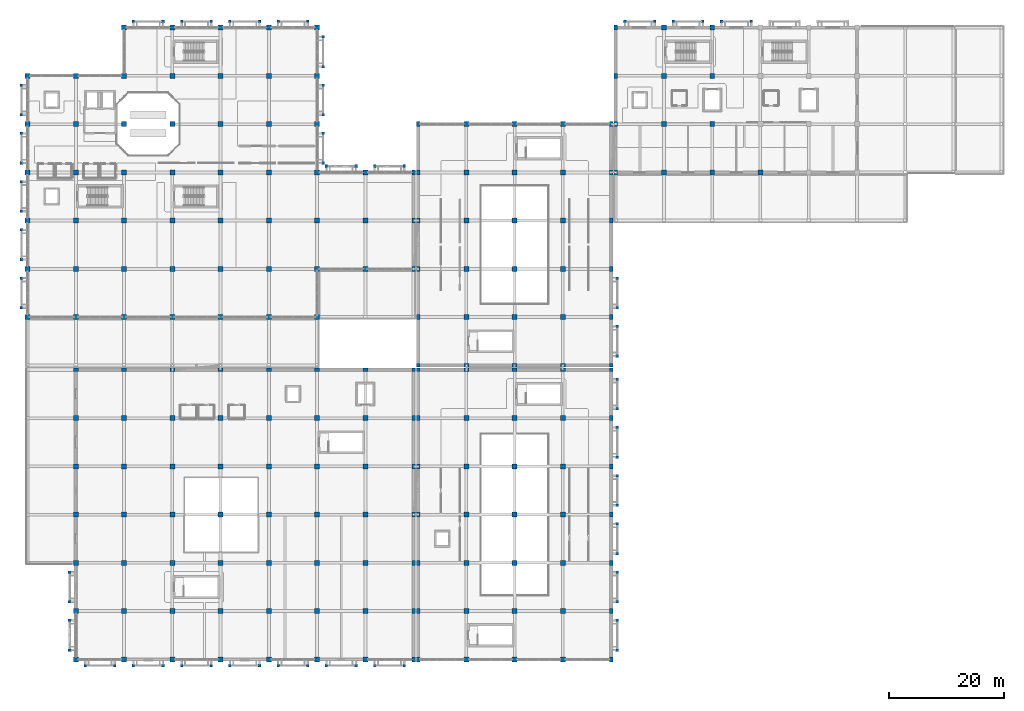
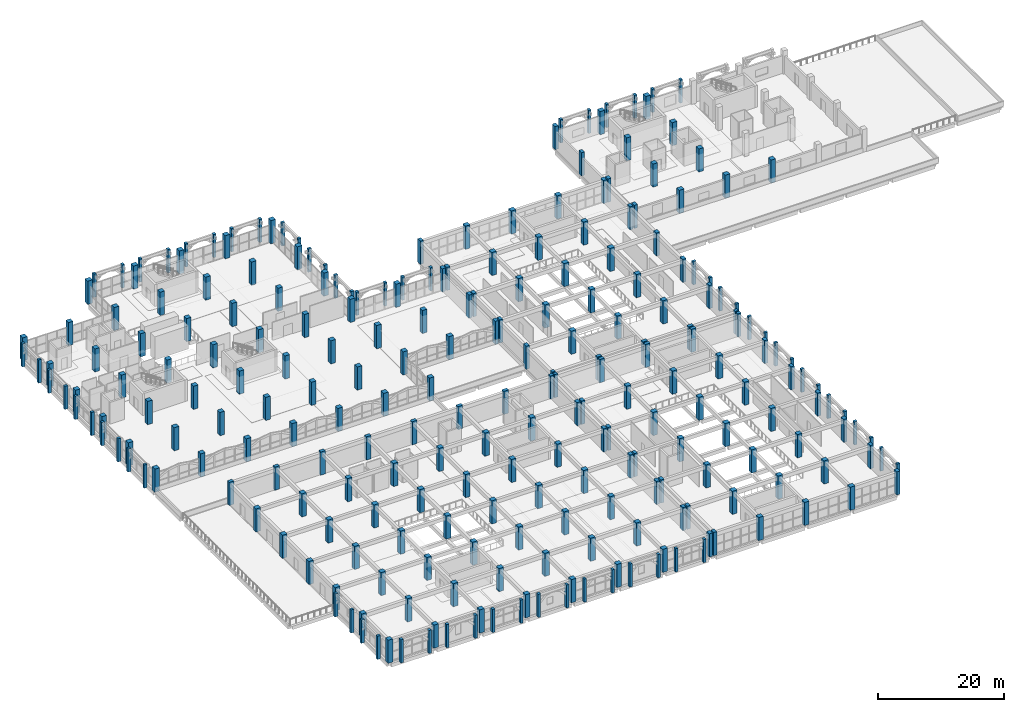
# One storey, part 1 of 129: 255 columns.
"""IFC4 building model written with IfcOpenShell, lengths in metres."""

import ifcopenshell
import ifcopenshell.guid

model = None  # the IFC model being written
_history = None  # IfcOwnerHistory: only IFC2X3 demands one
_inside = {}  # id of a spatial element -> (the spatial element, [elements in it])
_under = {}  # id of a project, library or spatial element -> (it, [spatial elements below it])
_declared = {}  # id of a project -> (the project, [libraries it declares])
_typed = {}  # id of a type object -> (the type object, [elements of that type])
_made_of = {}  # id of a material, layer set ... -> (it, [elements and type objects made of it])


def new_model(schema):
    """Start an empty IFC model of exactly this schema.

    Asked for "IFC4X3", IfcOpenShell would pick the latest addendum, in which some entities
    have other attributes; the version numbers below select the first issue.
    IFC2X3 requires an IfcOwnerHistory on every rooted entity: one is made here for all.
    """
    global model, _history
    if schema == "IFC4X3":
        model = ifcopenshell.file(schema_version=(4, 3, 0, 0))
    else:
        model = ifcopenshell.file(schema=schema)
    _inside.clear()
    _under.clear()
    _declared.clear()
    _typed.clear()
    _made_of.clear()
    _history = None
    if model.schema == "IFC2X3":
        org = make("IfcOrganization", Name="unknown")
        user = make(
            "IfcPersonAndOrganization",
            ThePerson=make("IfcPerson", FamilyName="unknown"),
            TheOrganization=org,
        )
        app = make(
            "IfcApplication",
            ApplicationDeveloper=org,
            Version="unknown",
            ApplicationFullName="unknown",
            ApplicationIdentifier="unknown",
        )
        _history = make(
            "IfcOwnerHistory",
            OwningUser=user,
            OwningApplication=app,
            ChangeAction="ADDED",
            CreationDate=0,
        )
    return model


def make(cls, **values):
    """One entity of the class cls with the attributes given. An attribute that is None is left unset."""
    return model.create_entity(
        cls, **{name: value for name, value in values.items() if value is not None}
    )


def rooted(cls, **values):
    """An entity with a GlobalId (a new one), such as an element, a storey or a relation."""
    return make(cls, GlobalId=ifcopenshell.guid.new(), OwnerHistory=_history, **values)


def si_unit(unit_type, name, prefix=None):
    """IfcSIUnit, for example si_unit("LENGTHUNIT", "METRE", prefix="MILLI")."""
    return make("IfcSIUnit", UnitType=unit_type, Prefix=prefix, Name=name)


def assignment(units):
    """IfcUnitAssignment: the units of a project."""
    return None if units is None else make("IfcUnitAssignment", Units=units)


def point(xyz):
    """IfcCartesianPoint."""
    return None if xyz is None else make("IfcCartesianPoint", Coordinates=xyz)


def direction(xyz):
    """IfcDirection."""
    return None if xyz is None else make("IfcDirection", DirectionRatios=xyz)


def frame(location, z_axis=None, x_axis=None):
    """IfcAxis2Placement3D, a coordinate frame: its origin and axes. An axis left out is left unset."""
    return make(
        "IfcAxis2Placement3D",
        Location=point(location),
        Axis=direction(z_axis),
        RefDirection=direction(x_axis),
    )


def frame_2d(location, x_axis=None):
    """IfcAxis2Placement2D, a coordinate frame in the plane: its origin and x axis."""
    return make(
        "IfcAxis2Placement2D", Location=point(location), RefDirection=direction(x_axis)
    )


def origin():
    """The frame at (0, 0, 0) with its axes left unset."""
    return frame((0.0, 0.0, 0.0))


def origin_2d():
    """The frame at (0, 0) in the plane with its x axis left unset."""
    return frame_2d((0.0, 0.0))


def place(relative_to, where):
    """IfcLocalPlacement: puts the frame where relative to a parent placement (None: the world)."""
    return make(
        "IfcLocalPlacement", PlacementRelTo=relative_to, RelativePlacement=where
    )


def context(
    kind, dimensions, precision=None, world=None, true_north=None, identifier=None
):
    """IfcGeometricRepresentationContext, for example the 3D "Model" context."""
    return make(
        "IfcGeometricRepresentationContext",
        ContextIdentifier=identifier,
        ContextType=kind,
        CoordinateSpaceDimension=dimensions,
        Precision=precision,
        WorldCoordinateSystem=world,
        TrueNorth=true_north,
    )


def subcontext(parent, identifier, kind, view, scale=None):
    """IfcGeometricRepresentationSubContext, for example "Body" below "Model"."""
    return make(
        "IfcGeometricRepresentationSubContext",
        ContextIdentifier=identifier,
        ContextType=kind,
        ParentContext=parent,
        TargetScale=scale,
        TargetView=view,
    )


def project(units=None, contexts=None):
    """IfcProject with its units and contexts."""
    return rooted(
        "IfcProject",
        Name="project",
        RepresentationContexts=contexts,
        UnitsInContext=assignment(units),
    )


def spatial(cls, under=None, at=None, **own):
    """A site, building, storey or space (cls), placed at a placement, below another one or the project."""
    s = rooted(cls, ObjectPlacement=at, **own)
    if under is not None:
        _under.setdefault(under.id(), (under, []))[1].append(s)
    return s


def profile(cls, at=None, kind="AREA", **sizes):
    """A parametric profile (cls). Its sizes go by their IFC names, for example OverallWidth=200.0."""
    return make(cls, ProfileType=kind, Position=at, **sizes)


def rectangle(**sizes):
    """IfcRectangleProfileDef."""
    return profile("IfcRectangleProfileDef", **sizes)


def extrude(swept, where, along, depth):
    """IfcExtrudedAreaSolid: the profile swept, set in the frame where, extruded along a direction by depth."""
    return make(
        "IfcExtrudedAreaSolid",
        SweptArea=swept,
        Position=where,
        ExtrudedDirection=direction(along),
        Depth=depth,
    )


def shape(context_of_items, identifier, shape_type, items):
    """IfcShapeRepresentation: the items that make up one representation, for example the "Body"."""
    return make(
        "IfcShapeRepresentation",
        ContextOfItems=context_of_items,
        RepresentationIdentifier=identifier,
        RepresentationType=shape_type,
        Items=items,
    )


def material(Name=None, Category=None):
    """IfcMaterial."""
    return make("IfcMaterial", Name=Name, Category=Category)


def material_profile(
    of_material, cross_section, Name=None, Category=None, Priority=None
):
    """IfcMaterialProfile: a cross section and its material."""
    return make(
        "IfcMaterialProfile",
        Name=Name,
        Material=of_material,
        Profile=cross_section,
        Priority=Priority,
        Category=Category,
    )


def profile_set(profiles, Name=None, composite=None):
    """IfcMaterialProfileSet."""
    return make(
        "IfcMaterialProfileSet",
        Name=Name,
        MaterialProfiles=profiles,
        CompositeProfile=composite,
    )


def made_of(thing, what):
    """Note that an element or type object is made of a material, layer set ...; save() writes the relation."""
    if what is not None:
        _made_of.setdefault(what.id(), (what, []))[1].append(thing)
    return thing


def type_object(cls, material=None, **own):
    """A type object (cls), such as IfcWallType, which elements share."""
    return made_of(rooted(cls, **own), material)


def element(
    cls,
    number,
    at=None,
    inside=None,
    cuts=None,
    type_object=None,
    material=None,
    context=None,
    identifier="Body",
    shape_type=None,
    held_by="IfcProductDefinitionShape",
    body=None,
    shapes=None,
    **own,
):
    """One element of the class cls, such as IfcWall. Its Tag is "e" and its number.

    at: its placement. inside: the storey or other place that contains it. cuts: it is an
    opening in that element (IfcRelVoidsElement). A single representation is given by context,
    identifier, shape_type and body (its items); several are given by shapes. held_by: the class
    of the entity that holds the representations. save() writes the other relations.
    """
    e = rooted(cls, Tag="e%d" % number, ObjectPlacement=at, **own)
    if body is not None:
        shapes = [shape(context, identifier, shape_type, body)]
    if shapes is not None:
        e.Representation = make(held_by, Representations=shapes)
    if inside is not None:
        _inside.setdefault(inside.id(), (inside, []))[1].append(e)
    if cuts is not None:
        rooted(
            "IfcRelVoidsElement", RelatingBuildingElement=cuts, RelatedOpeningElement=e
        )
    if type_object is not None:
        _typed.setdefault(type_object.id(), (type_object, []))[1].append(e)
    return made_of(e, material)


def aggregate(whole, parts):
    """IfcRelAggregates: a whole, such as a stair, and the parts it consists of."""
    return rooted("IfcRelAggregates", RelatingObject=whole, RelatedObjects=parts)


def save(model, path):
    """Write the relations noted so far, then the file.

    IfcRelAggregates (storeys below a building ...), IfcRelContainedInSpatialStructure (elements
    in a storey), IfcRelDefinesByType, IfcRelAssociatesMaterial and IfcRelDeclares: one each for
    every whole, place, type object, material and project.
    """
    for whole, parts in _under.values():
        aggregate(whole, parts)
    for where, things in _inside.values():
        rooted(
            "IfcRelContainedInSpatialStructure",
            RelatedElements=things,
            RelatingStructure=where,
        )
    for kind, things in _typed.values():
        rooted("IfcRelDefinesByType", RelatedObjects=things, RelatingType=kind)
    for what, things in _made_of.values():
        rooted("IfcRelAssociatesMaterial", RelatedObjects=things, RelatingMaterial=what)
    for by, libraries in _declared.values():
        rooted("IfcRelDeclares", RelatingContext=by, RelatedDefinitions=libraries)
    model.write(path)


model = new_model("IFC4")

# Units and contexts
model_context = context("Model", 3, precision=1e-05, world=origin(), true_north=direction((0.0, 1.0)))
body_context = subcontext(model_context, "Body", "Model", "MODEL_VIEW")
ifc_project = project(units=[si_unit("LENGTHUNIT", "METRE"), si_unit("AREAUNIT", "SQUARE_METRE"), si_unit("VOLUMEUNIT", "CUBIC_METRE"), si_unit("PLANEANGLEUNIT", "RADIAN"), si_unit("MASSUNIT", "GRAM", prefix="KILO")], contexts=[model_context])

# Site, building, storey
site_placement = place(None, origin())
site = spatial("IfcSite", under=ifc_project, at=site_placement, CompositionType="ELEMENT")
building_placement = place(site_placement, origin())
building = spatial("IfcBuilding", under=site, at=building_placement, Name="Xazarin Passage Department Store", CompositionType="ELEMENT")
storey_placement = place(building_placement, frame((0.0, 0.0, 9.89990234375)))
storey = spatial("IfcBuildingStorey", under=building, at=storey_placement, Name="L02", CompositionType="ELEMENT", Elevation=9.89990234375)

# Columns
ifc_material = material(Name="Concrete C40/50", Category="concrete")
ifc_material_profile_1 = material_profile(ifc_material, rectangle(XDim=0.85009765625, YDim=0.85009765625, at=origin_2d()), Name="RC 850x850")
ifc_profile_set_1 = profile_set([ifc_material_profile_1], Name="Concrete C40/50")
column_type_1 = type_object("IfcColumnType", Name="STR-COL-RC850", PredefinedType="COLUMN", material=ifc_profile_set_1)
for number, where, z_axis, x_axis, name in (
    (1, (0.0, 59.60009765625, 0.0), (0.0, 0.0, 1.0), (1.0, 0.0, 0.0), "L02 Column 1/J"),
    (2, (8.39990234375, 59.60009765625, 0.0), (0.0, 0.0, 1.0), (1.0, 0.0, 0.0), "L02 Column 2/J"),
    (3, (16.800048828125, 59.60009765625, 0.0), (0.0, 0.0, 1.0), (1.0, 0.0, 0.0), "L02 Column 3/J"),
    (4, (25.199951171875, 59.60009765625, 0.0), (0.0, 0.0, 1.0), (1.0, 0.0, 0.0), "L02 Column 4/J"),
    (5, (33.60009765625, 59.60009765625, 0.0), (0.0, 0.0, 1.0), (1.0, 0.0, 0.0), "L02 Column 5/J"),
    (6, (42.0, 59.60009765625, 0.0), (0.0, 0.0, 1.0), (1.0, 0.0, 0.0), "L02 Column 6/J"),
    (7, (50.39990234375, 59.60009765625, 0.0), (0.0, 0.0, 1.0), (1.0, 0.0, 0.0), "L02 Column 7/J"),
    (8, (0.0, 68.0, 0.0), (0.0, 0.0, 1.0), (1.0, 0.0, 0.0), "L02 Column 1/K"),
    (9, (8.39990234375, 68.0, 0.0), (0.0, 0.0, 1.0), (1.0, 0.0, 0.0), "L02 Column 2/K"),
    (10, (16.800048828125, 68.0, 0.0), (0.0, 0.0, 1.0), (1.0, 0.0, 0.0), "L02 Column 3/K"),
    (11, (25.199951171875, 68.0, 0.0), (0.0, 0.0, 1.0), (1.0, 0.0, 0.0), "L02 Column 4/K"),
    (12, (33.60009765625, 68.0, 0.0), (0.0, 0.0, 1.0), (1.0, 0.0, 0.0), "L02 Column 5/K"),
    (13, (42.0, 68.0, 0.0), (0.0, 0.0, 1.0), (1.0, 0.0, 0.0), "L02 Column 6/K"),
    (14, (50.39990234375, 68.0, 0.0), (0.0, 0.0, 1.0), (1.0, 0.0, 0.0), "L02 Column 7/K"),
    (15, (58.800048828125, 68.0, 0.0), (0.0, 0.0, 1.0), (1.0, 0.0, 0.0), "L02 Column 8/K"),
    (16, (0.0, 76.39990234375, 0.0), (0.0, 0.0, 1.0), (1.0, 0.0, 0.0), "L02 Column 1/L"),
    (17, (8.39990234375, 76.39990234375, 0.0), (0.0, 0.0, 1.0), (1.0, 0.0, 0.0), "L02 Column 2/L"),
    (18, (16.800048828125, 76.39990234375, 0.0), (0.0, 0.0, 1.0), (1.0, 0.0, 0.0), "L02 Column 3/L"),
    (19, (25.199951171875, 76.39990234375, 0.0), (0.0, 0.0, 1.0), (1.0, 0.0, 0.0), "L02 Column 4/L"),
    (20, (33.60009765625, 76.39990234375, 0.0), (0.0, 0.0, 1.0), (1.0, 0.0, 0.0), "L02 Column 5/L"),
    (21, (42.0, 76.39990234375, 0.0), (0.0, 0.0, 1.0), (1.0, 0.0, 0.0), "L02 Column 6/L"),
    (22, (50.39990234375, 76.39990234375, 0.0), (0.0, 0.0, 1.0), (1.0, 0.0, 0.0), "L02 Column 7/L"),
    (23, (58.800048828125, 76.39990234375, 0.0), (0.0, 0.0, 1.0), (1.0, 0.0, 0.0), "L02 Column 8/L"),
    (24, (0.0, 84.800048828125, 0.0), (0.0, 0.0, 1.0), (1.0, 0.0, 0.0), "L02 Column 1/M"),
    (25, (8.39990234375, 84.800048828125, 0.0), (0.0, 0.0, 1.0), (1.0, 0.0, 0.0), "L02 Column 2/M"),
    (26, (16.800048828125, 84.800048828125, 0.0), (0.0, 0.0, 1.0), (1.0, 0.0, 0.0), "L02 Column 3/M"),
    (27, (25.199951171875, 84.800048828125, 0.0), (0.0, 0.0, 1.0), (1.0, 0.0, 0.0), "L02 Column 4/M"),
    (28, (33.60009765625, 84.800048828125, 0.0), (0.0, 0.0, 1.0), (1.0, 0.0, 0.0), "L02 Column 5/M"),
    (29, (42.0, 84.800048828125, 0.0), (0.0, 0.0, 1.0), (1.0, 0.0, 0.0), "L02 Column 6/M"),
    (30, (50.39990234375, 84.800048828125, 0.0), (0.0, 0.0, 1.0), (1.0, 0.0, 0.0), "L02 Column 7/M"),
    (31, (58.800048828125, 84.800048828125, 0.0), (0.0, 0.0, 1.0), (1.0, 0.0, 0.0), "L02 Column 8/M"),
    (32, (0.0, 93.199951171875, 0.0), (0.0, 0.0, 1.0), (1.0, 0.0, 0.0), "L02 Column 1/N"),
    (33, (8.39990234375, 93.199951171875, 0.0), (0.0, 0.0, 1.0), (1.0, 0.0, 0.0), "L02 Column 2/N"),
    (34, (16.800048828125, 93.199951171875, 0.0), (0.0, 0.0, 1.0), (1.0, 0.0, 0.0), "L02 Column 3/N"),
    (35, (25.199951171875, 93.199951171875, 0.0), (0.0, 0.0, 1.0), (1.0, 0.0, 0.0), "L02 Column 4/N"),
    (36, (33.60009765625, 93.199951171875, 0.0), (0.0, 0.0, 1.0), (1.0, 0.0, 0.0), "L02 Column 5/N"),
    (37, (42.0, 93.199951171875, 0.0), (0.0, 0.0, 1.0), (1.0, 0.0, 0.0), "L02 Column 6/N"),
    (38, (50.39990234375, 93.199951171875, 0.0), (0.0, 0.0, 1.0), (1.0, 0.0, 0.0), "L02 Column 7/N"),
    (39, (0.0, 101.60009765625, 0.0), (0.0, 0.0, 1.0), (1.0, 0.0, 0.0), "L02 Column 1/P"),
    (40, (8.39990234375, 101.60009765625, 0.0), (0.0, 0.0, 1.0), (1.0, 0.0, 0.0), "L02 Column 2/P"),
    (41, (16.800048828125, 101.60009765625, 0.0), (0.0, 0.0, 1.0), (1.0, 0.0, 0.0), "L02 Column 3/P"),
    (42, (25.199951171875, 101.60009765625, 0.0), (0.0, 0.0, 1.0), (1.0, 0.0, 0.0), "L02 Column 4/P"),
    (43, (33.60009765625, 101.60009765625, 0.0), (0.0, 0.0, 1.0), (1.0, 0.0, 0.0), "L02 Column 5/P"),
    (44, (42.0, 101.60009765625, 0.0), (0.0, 0.0, 1.0), (1.0, 0.0, 0.0), "L02 Column 6/P"),
    (45, (50.39990234375, 101.60009765625, 0.0), (0.0, 0.0, 1.0), (1.0, 0.0, 0.0), "L02 Column 7/P"),
    (46, (16.800048828125, 110.0, 0.0), (0.0, 0.0, 1.0), (1.0, 0.0, 0.0), "L02 Column 3/Q"),
    (47, (25.199951171875, 110.0, 0.0), (0.0, 0.0, 1.0), (1.0, 0.0, 0.0), "L02 Column 4/Q"),
    (48, (33.60009765625, 110.0, 0.0), (0.0, 0.0, 1.0), (1.0, 0.0, 0.0), "L02 Column 5/Q"),
    (49, (42.0, 110.0, 0.0), (0.0, 0.0, 1.0), (1.0, 0.0, 0.0), "L02 Column 6/Q"),
    (50, (50.39990234375, 110.0, 0.0), (0.0, 0.0, 1.0), (1.0, 0.0, 0.0), "L02 Column 7/Q"),
    (51, (76.39990234375, 0.0, 0.0), (0.0, 0.0, 1.0), (1.0, 0.0, 0.0), "L02 Column 11/A"),
    (52, (84.800048828125, 0.0, 0.0), (0.0, 0.0, 1.0), (1.0, 0.0, 0.0), "L02 Column 12/A"),
    (53, (93.199951171875, 0.0, 0.0), (0.0, 0.0, 1.0), (1.0, 0.0, 0.0), "L02 Column 13/A"),
    (54, (76.39990234375, 8.39990234375, 0.0), (0.0, 0.0, 1.0), (1.0, 0.0, 0.0), "L02 Column 11/B"),
    (55, (84.800048828125, 8.39990234375, 0.0), (0.0, 0.0, 1.0), (1.0, 0.0, 0.0), "L02 Column 12/B"),
    (56, (93.199951171875, 8.39990234375, 0.0), (0.0, 0.0, 1.0), (1.0, 0.0, 0.0), "L02 Column 13/B"),
    (57, (76.39990234375, 16.800048828125, 0.0), (0.0, 0.0, 1.0), (1.0, 0.0, 0.0), "L02 Column 11/C"),
    (58, (84.800048828125, 16.800048828125, 0.0), (0.0, 0.0, 1.0), (1.0, 0.0, 0.0), "L02 Column 12/C"),
    (59, (93.199951171875, 16.800048828125, 0.0), (0.0, 0.0, 1.0), (1.0, 0.0, 0.0), "L02 Column 13/C"),
    (60, (76.39990234375, 25.199951171875, 0.0), (0.0, 0.0, 1.0), (1.0, 0.0, 0.0), "L02 Column 11/D"),
    (61, (84.800048828125, 25.199951171875, 0.0), (0.0, 0.0, 1.0), (1.0, 0.0, 0.0), "L02 Column 12/D"),
    (62, (93.199951171875, 25.199951171875, 0.0), (0.0, 0.0, 1.0), (1.0, 0.0, 0.0), "L02 Column 13/D"),
    (63, (76.39990234375, 33.60009765625, 0.0), (0.0, 0.0, 1.0), (1.0, 0.0, 0.0), "L02 Column 11/E"),
    (64, (84.800048828125, 33.60009765625, 0.0), (0.0, 0.0, 1.0), (1.0, 0.0, 0.0), "L02 Column 12/E"),
    (65, (93.199951171875, 33.60009765625, 0.0), (0.0, 0.0, 1.0), (1.0, 0.0, 0.0), "L02 Column 13/E"),
    (66, (76.39990234375, 42.0, 0.0), (0.0, 0.0, 1.0), (1.0, 0.0, 0.0), "L02 Column 11/F"),
    (67, (84.800048828125, 42.0, 0.0), (0.0, 0.0, 1.0), (1.0, 0.0, 0.0), "L02 Column 12/F"),
    (68, (93.199951171875, 42.0, 0.0), (0.0, 0.0, 1.0), (1.0, 0.0, 0.0), "L02 Column 13/F"),
    (69, (76.39990234375, 59.60009765625, 0.0), (0.0, 0.0, 1.0), (1.0, 0.0, 0.0), "L02 Column 11/J"),
    (70, (84.800048828125, 59.60009765625, 0.0), (0.0, 0.0, 1.0), (1.0, 0.0, 0.0), "L02 Column 12/J"),
    (71, (93.199951171875, 59.60009765625, 0.0), (0.0, 0.0, 1.0), (1.0, 0.0, 0.0), "L02 Column 13/J"),
    (72, (76.39990234375, 68.0, 0.0), (0.0, 0.0, 1.0), (1.0, 0.0, 0.0), "L02 Column 11/K"),
    (73, (84.800048828125, 68.0, 0.0), (0.0, 0.0, 1.0), (1.0, 0.0, 0.0), "L02 Column 12/K"),
    (74, (93.199951171875, 68.0, 0.0), (0.0, 0.0, 1.0), (1.0, 0.0, 0.0), "L02 Column 13/K"),
    (75, (76.39990234375, 76.39990234375, 0.0), (0.0, 0.0, 1.0), (1.0, 0.0, 0.0), "L02 Column 11/L"),
    (76, (84.800048828125, 76.39990234375, 0.0), (0.0, 0.0, 1.0), (1.0, 0.0, 0.0), "L02 Column 12/L"),
    (77, (93.199951171875, 76.39990234375, 0.0), (0.0, 0.0, 1.0), (1.0, 0.0, 0.0), "L02 Column 13/L"),
    (78, (76.39990234375, 84.800048828125, 0.0), (0.0, 0.0, 1.0), (1.0, 0.0, 0.0), "L02 Column 11/M"),
    (79, (84.800048828125, 84.800048828125, 0.0), (0.0, 0.0, 1.0), (1.0, 0.0, 0.0), "L02 Column 12/M"),
    (80, (93.199951171875, 84.800048828125, 0.0), (0.0, 0.0, 1.0), (1.0, 0.0, 0.0), "L02 Column 13/M"),
    (81, (76.39990234375, 93.199951171875, 0.0), (0.0, 0.0, 1.0), (1.0, 0.0, 0.0), "L02 Column 11/N"),
    (82, (84.800048828125, 93.199951171875, 0.0), (0.0, 0.0, 1.0), (1.0, 0.0, 0.0), "L02 Column 12/N"),
    (83, (93.199951171875, 93.199951171875, 0.0), (0.0, 0.0, 1.0), (1.0, 0.0, 0.0), "L02 Column 13/N"),
    (84, (8.39990234375, 0.0, 0.0), (0.0, 0.0, 1.0), (1.0, 0.0, 0.0), "L02 Column 2/A"),
    (85, (16.800048828125, 0.0, 0.0), (0.0, 0.0, 1.0), (1.0, 0.0, 0.0), "L02 Column 3/A"),
    (86, (25.199951171875, 0.0, 0.0), (0.0, 0.0, 1.0), (1.0, 0.0, 0.0), "L02 Column 4/A"),
    (87, (33.60009765625, 0.0, 0.0), (0.0, 0.0, 1.0), (1.0, 0.0, 0.0), "L02 Column 5/A"),
    (88, (42.0, 0.0, 0.0), (0.0, 0.0, 1.0), (1.0, 0.0, 0.0), "L02 Column 6/A"),
    (89, (50.39990234375, 0.0, 0.0), (0.0, 0.0, 1.0), (1.0, 0.0, 0.0), "L02 Column 7/A"),
    (90, (58.800048828125, 0.0, 0.0), (0.0, 0.0, 1.0), (1.0, 0.0, 0.0), "L02 Column 8/A"),
    (91, (8.39990234375, 8.39990234375, 0.0), (0.0, 0.0, 1.0), (1.0, 0.0, 0.0), "L02 Column 2/B"),
    (92, (16.800048828125, 8.39990234375, 0.0), (0.0, 0.0, 1.0), (1.0, 0.0, 0.0), "L02 Column 3/B"),
    (93, (25.199951171875, 8.39990234375, 0.0), (0.0, 0.0, 1.0), (1.0, 0.0, 0.0), "L02 Column 4/B"),
    (94, (33.60009765625, 8.39990234375, 0.0), (0.0, 0.0, 1.0), (1.0, 0.0, 0.0), "L02 Column 5/B"),
    (95, (42.0, 8.39990234375, 0.0), (0.0, 0.0, 1.0), (1.0, 0.0, 0.0), "L02 Column 6/B"),
    (96, (50.39990234375, 8.39990234375, 0.0), (0.0, 0.0, 1.0), (1.0, 0.0, 0.0), "L02 Column 7/B"),
    (97, (58.800048828125, 8.39990234375, 0.0), (0.0, 0.0, 1.0), (1.0, 0.0, 0.0), "L02 Column 8/B"),
    (98, (8.39990234375, 16.800048828125, 0.0), (0.0, 0.0, 1.0), (1.0, 0.0, 0.0), "L02 Column 2/C"),
    (99, (16.800048828125, 16.800048828125, 0.0), (0.0, 0.0, 1.0), (1.0, 0.0, 0.0), "L02 Column 3/C"),
    (100, (25.199951171875, 16.800048828125, 0.0), (0.0, 0.0, 1.0), (1.0, 0.0, 0.0), "L02 Column 4/C"),
    (101, (33.60009765625, 16.800048828125, 0.0), (0.0, 0.0, 1.0), (1.0, 0.0, 0.0), "L02 Column 5/C"),
    (102, (42.0, 16.800048828125, 0.0), (0.0, 0.0, 1.0), (1.0, 0.0, 0.0), "L02 Column 6/C"),
    (103, (50.39990234375, 16.800048828125, 0.0), (0.0, 0.0, 1.0), (1.0, 0.0, 0.0), "L02 Column 7/C"),
    (104, (58.800048828125, 16.800048828125, 0.0), (0.0, 0.0, 1.0), (1.0, 0.0, 0.0), "L02 Column 8/C"),
    (105, (8.39990234375, 25.199951171875, 0.0), (0.0, 0.0, 1.0), (1.0, 0.0, 0.0), "L02 Column 2/D"),
    (106, (16.800048828125, 25.199951171875, 0.0), (0.0, 0.0, 1.0), (1.0, 0.0, 0.0), "L02 Column 3/D"),
    (107, (25.199951171875, 25.199951171875, 0.0), (0.0, 0.0, 1.0), (1.0, 0.0, 0.0), "L02 Column 4/D"),
    (108, (33.60009765625, 25.199951171875, 0.0), (0.0, 0.0, 1.0), (1.0, 0.0, 0.0), "L02 Column 5/D"),
    (109, (42.0, 25.199951171875, 0.0), (0.0, 0.0, 1.0), (1.0, 0.0, 0.0), "L02 Column 6/D"),
    (110, (50.39990234375, 25.199951171875, 0.0), (0.0, 0.0, 1.0), (1.0, 0.0, 0.0), "L02 Column 7/D"),
    (111, (58.800048828125, 25.199951171875, 0.0), (0.0, 0.0, 1.0), (1.0, 0.0, 0.0), "L02 Column 8/D"),
    (112, (8.39990234375, 33.60009765625, 0.0), (0.0, 0.0, 1.0), (1.0, 0.0, 0.0), "L02 Column 2/E"),
    (113, (16.800048828125, 33.60009765625, 0.0), (0.0, 0.0, 1.0), (1.0, 0.0, 0.0), "L02 Column 3/E"),
    (114, (25.199951171875, 33.60009765625, 0.0), (0.0, 0.0, 1.0), (1.0, 0.0, 0.0), "L02 Column 4/E"),
    (115, (33.60009765625, 33.60009765625, 0.0), (0.0, 0.0, 1.0), (1.0, 0.0, 0.0), "L02 Column 5/E"),
    (116, (42.0, 33.60009765625, 0.0), (0.0, 0.0, 1.0), (1.0, 0.0, 0.0), "L02 Column 6/E"),
    (117, (50.39990234375, 33.60009765625, 0.0), (0.0, 0.0, 1.0), (1.0, 0.0, 0.0), "L02 Column 7/E"),
    (118, (58.800048828125, 33.60009765625, 0.0), (0.0, 0.0, 1.0), (1.0, 0.0, 0.0), "L02 Column 8/E"),
    (119, (8.39990234375, 42.0, 0.0), (0.0, 0.0, 1.0), (1.0, 0.0, 0.0), "L02 Column 2/F"),
    (120, (16.800048828125, 42.0, 0.0), (0.0, 0.0, 1.0), (1.0, 0.0, 0.0), "L02 Column 3/F"),
    (121, (25.199951171875, 42.0, 0.0), (0.0, 0.0, 1.0), (1.0, 0.0, 0.0), "L02 Column 4/F"),
    (122, (33.60009765625, 42.0, 0.0), (0.0, 0.0, 1.0), (1.0, 0.0, 0.0), "L02 Column 5/F"),
    (123, (42.0, 42.0, 0.0), (0.0, 0.0, 1.0), (1.0, 0.0, 0.0), "L02 Column 6/F"),
    (124, (50.39990234375, 42.0, 0.0), (0.0, 0.0, 1.0), (1.0, 0.0, 0.0), "L02 Column 7/F"),
    (125, (58.800048828125, 42.0, 0.0), (0.0, 0.0, 1.0), (1.0, 0.0, 0.0), "L02 Column 8/F"),
    (126, (110.800048828125, 84.800048828125, 0.0), (0.0, 0.0, 1.0), (1.0, 0.0, 0.0), "L02 Column 16/M"),
    (127, (119.199951171875, 84.800048828125, 0.0), (0.0, 0.0, 1.0), (1.0, 0.0, 0.0), "L02 Column 17/M"),
    (128, (127.60009765625, 84.800048828125, 0.0), (0.0, 0.0, 1.0), (1.0, 0.0, 0.0), "L02 Column 18/M"),
    (129, (110.800048828125, 93.199951171875, 0.0), (0.0, 0.0, 1.0), (1.0, 0.0, 0.0), "L02 Column 16/N"),
    (130, (119.199951171875, 93.199951171875, 0.0), (0.0, 0.0, 1.0), (1.0, 0.0, 0.0), "L02 Column 17/N"),
    (131, (110.800048828125, 101.60009765625, 0.0), (0.0, 0.0, 1.0), (1.0, 0.0, 0.0), "L02 Column 16/P"),
    (132, (119.199951171875, 101.60009765625, 0.0), (0.0, 0.0, 1.0), (1.0, 0.0, 0.0), "L02 Column 17/P"),
    (133, (110.800048828125, 110.0, 0.0), (0.0, 0.0, 1.0), (1.0, 0.0, 0.0), "L02 Column 16/Q"),
    (134, (119.199951171875, 110.0, 0.0), (0.0, 0.0, 1.0), (1.0, 0.0, 0.0), "L02 Column 17/Q"),
):
    element("IfcColumn", number, at=place(storey_placement, frame(where, z_axis=z_axis, x_axis=x_axis)), inside=storey, type_object=column_type_1, Name=name, PredefinedType="COLUMN", context=body_context, shape_type="SweptSolid", body=[
        extrude(rectangle(XDim=0.85009765625, YDim=0.85009765625, at=origin_2d()), origin(), (0.0, 0.0, 1.0), 4.5),
    ])
ifc_material_profile_2 = material_profile(ifc_material, rectangle(XDim=0.60009765625, YDim=0.60009765625, at=origin_2d()), Name="RC 600x600")
ifc_profile_set_2 = profile_set([ifc_material_profile_2], Name="Concrete C40/50")
column_type_2 = type_object("IfcColumnType", Name="STR-COL-SJ600", PredefinedType="COLUMN", material=ifc_profile_set_2)
for number, where, z_axis, x_axis, name in (
    (135, (68.0, 50.39990234375, 0.0), (0.0, 0.0, 1.0), (1.0, 0.0, 0.0), "L02 Column 10/G"),
    (136, (101.60009765625, 50.39990234375, 0.0), (0.0, 0.0, 1.0), (1.0, 0.0, 0.0), "L02 Column 14/G"),
    (137, (68.0, 51.199951171875, 0.0), (0.0, 0.0, 1.0), (1.0, 0.0, 0.0), "L02 Column 10/H"),
    (138, (101.60009765625, 51.199951171875, 0.0), (0.0, 0.0, 1.0), (1.0, 0.0, 0.0), "L02 Column 14/H"),
    (139, (67.199951171875, 50.39990234375, 0.0), (0.0, 0.0, 1.0), (1.0, 0.0, 0.0), "L02 Column 9/G"),
):
    element("IfcColumn", number, at=place(storey_placement, frame(where, z_axis=z_axis, x_axis=x_axis)), inside=storey, type_object=column_type_2, Name=name, PredefinedType="COLUMN", context=body_context, shape_type="SweptSolid", body=[
        extrude(rectangle(XDim=0.60009765625, YDim=0.60009765625, at=origin_2d()), origin(), (0.0, 0.0, 1.0), 4.5),
    ])
ifc_material_profile_3 = material_profile(ifc_material, rectangle(XDim=0.60009765625, YDim=0.85009765625, at=origin_2d()), Name="RC 600x850")
ifc_profile_set_3 = profile_set([ifc_material_profile_3], Name="Concrete C40/50")
column_type_3 = type_object("IfcColumnType", Name="STR-COL-SJ850", PredefinedType="COLUMN", material=ifc_profile_set_3)
for number, where, z_axis, x_axis, name in (
    (140, (67.199951171875, 68.0, 0.0), (0.0, 0.0, 1.0), (1.0, 0.0, 0.0), "L02 Column 9/K"),
    (141, (67.199951171875, 76.39990234375, 0.0), (0.0, 0.0, 1.0), (1.0, 0.0, 0.0), "L02 Column 9/L"),
    (142, (67.199951171875, 84.800048828125, 0.0), (0.0, 0.0, 1.0), (1.0, 0.0, 0.0), "L02 Column 9/M"),
    (143, (68.0, 0.0, 0.0), (0.0, 0.0, 1.0), (1.0, 0.0, 0.0), "L02 Column 10/A"),
    (144, (101.60009765625, 0.0, 0.0), (0.0, 0.0, 1.0), (1.0, 0.0, 0.0), "L02 Column 14/A"),
    (145, (68.0, 8.39990234375, 0.0), (0.0, 0.0, 1.0), (1.0, 0.0, 0.0), "L02 Column 10/B"),
    (146, (101.60009765625, 8.39990234375, 0.0), (0.0, 0.0, 1.0), (1.0, 0.0, 0.0), "L02 Column 14/B"),
    (147, (68.0, 16.800048828125, 0.0), (0.0, 0.0, 1.0), (1.0, 0.0, 0.0), "L02 Column 10/C"),
    (148, (101.60009765625, 16.800048828125, 0.0), (0.0, 0.0, 1.0), (1.0, 0.0, 0.0), "L02 Column 14/C"),
    (149, (68.0, 25.199951171875, 0.0), (0.0, 0.0, 1.0), (1.0, 0.0, 0.0), "L02 Column 10/D"),
    (150, (101.60009765625, 25.199951171875, 0.0), (0.0, 0.0, 1.0), (1.0, 0.0, 0.0), "L02 Column 14/D"),
    (151, (68.0, 33.60009765625, 0.0), (0.0, 0.0, 1.0), (1.0, 0.0, 0.0), "L02 Column 10/E"),
    (152, (101.60009765625, 33.60009765625, 0.0), (0.0, 0.0, 1.0), (1.0, 0.0, 0.0), "L02 Column 14/E"),
    (153, (68.0, 42.0, 0.0), (0.0, 0.0, 1.0), (1.0, 0.0, 0.0), "L02 Column 10/F"),
    (154, (101.60009765625, 42.0, 0.0), (0.0, 0.0, 1.0), (1.0, 0.0, 0.0), "L02 Column 14/F"),
    (155, (76.39990234375, 50.39990234375, 0.0), (0.0, 0.0, 1.0), (0.0, 1.0, 0.0), "L02 Column 11/G"),
    (156, (84.800048828125, 50.39990234375, 0.0), (0.0, 0.0, 1.0), (0.0, 1.0, 0.0), "L02 Column 12/G"),
    (157, (93.199951171875, 50.39990234375, 0.0), (0.0, 0.0, 1.0), (0.0, 1.0, 0.0), "L02 Column 13/G"),
    (158, (76.39990234375, 51.199951171875, 0.0), (0.0, 0.0, 1.0), (0.0, 1.0, 0.0), "L02 Column 11/H"),
    (159, (84.800048828125, 51.199951171875, 0.0), (0.0, 0.0, 1.0), (0.0, 1.0, 0.0), "L02 Column 12/H"),
    (160, (93.199951171875, 51.199951171875, 0.0), (0.0, 0.0, 1.0), (0.0, 1.0, 0.0), "L02 Column 13/H"),
    (161, (68.0, 59.60009765625, 0.0), (0.0, 0.0, 1.0), (1.0, 0.0, 0.0), "L02 Column 10/J"),
    (162, (101.60009765625, 59.60009765625, 0.0), (0.0, 0.0, 1.0), (1.0, 0.0, 0.0), "L02 Column 14/J"),
    (163, (68.0, 68.0, 0.0), (0.0, 0.0, 1.0), (1.0, 0.0, 0.0), "L02 Column 10/K"),
    (164, (101.60009765625, 68.0, 0.0), (0.0, 0.0, 1.0), (1.0, 0.0, 0.0), "L02 Column 14/K"),
    (165, (68.0, 76.39990234375, 0.0), (0.0, 0.0, 1.0), (1.0, 0.0, 0.0), "L02 Column 10/L"),
    (166, (101.60009765625, 76.39990234375, 0.0), (0.0, 0.0, 1.0), (1.0, 0.0, 0.0), "L02 Column 14/L"),
    (167, (68.0, 84.800048828125, 0.0), (0.0, 0.0, 1.0), (1.0, 0.0, 0.0), "L02 Column 10/M"),
    (168, (101.60009765625, 84.800048828125, 0.0), (0.0, 0.0, 1.0), (1.0, 0.0, 0.0), "L02 Column 14/M"),
    (169, (68.0, 93.199951171875, 0.0), (0.0, 0.0, 1.0), (1.0, 0.0, 0.0), "L02 Column 10/N"),
    (170, (101.60009765625, 93.199951171875, 0.0), (0.0, 0.0, 1.0), (1.0, 0.0, 0.0), "L02 Column 14/N"),
    (171, (67.199951171875, 0.0, 0.0), (0.0, 0.0, 1.0), (1.0, 0.0, 0.0), "L02 Column 9/A"),
    (172, (67.199951171875, 8.39990234375, 0.0), (0.0, 0.0, 1.0), (1.0, 0.0, 0.0), "L02 Column 9/B"),
    (173, (67.199951171875, 16.800048828125, 0.0), (0.0, 0.0, 1.0), (1.0, 0.0, 0.0), "L02 Column 9/C"),
    (174, (67.199951171875, 25.199951171875, 0.0), (0.0, 0.0, 1.0), (1.0, 0.0, 0.0), "L02 Column 9/D"),
    (175, (67.199951171875, 33.60009765625, 0.0), (0.0, 0.0, 1.0), (1.0, 0.0, 0.0), "L02 Column 9/E"),
    (176, (67.199951171875, 42.0, 0.0), (0.0, 0.0, 1.0), (1.0, 0.0, 0.0), "L02 Column 9/F"),
    (177, (8.39990234375, 50.39990234375, 0.0), (0.0, 0.0, 1.0), (0.0, 1.0, 0.0), "L02 Column 2/G"),
    (178, (16.800048828125, 50.39990234375, 0.0), (0.0, 0.0, 1.0), (0.0, 1.0, 0.0), "L02 Column 3/G"),
    (179, (25.199951171875, 50.39990234375, 0.0), (0.0, 0.0, 1.0), (0.0, 1.0, 0.0), "L02 Column 4/G"),
    (180, (33.60009765625, 50.39990234375, 0.0), (0.0, 0.0, 1.0), (0.0, 1.0, 0.0), "L02 Column 5/G"),
    (181, (42.0, 50.39990234375, 0.0), (0.0, 0.0, 1.0), (0.0, 1.0, 0.0), "L02 Column 6/G"),
    (182, (50.39990234375, 50.39990234375, 0.0), (0.0, 0.0, 1.0), (0.0, 1.0, 0.0), "L02 Column 7/G"),
    (183, (58.800048828125, 50.39990234375, 0.0), (0.0, 0.0, 1.0), (0.0, 1.0, 0.0), "L02 Column 8/G"),
    (184, (102.39990234375, 84.800048828125, 0.0), (0.0, 0.0, 1.0), (1.0, 0.0, 0.0), "L02 Column 15/M"),
    (185, (102.39990234375, 93.199951171875, 0.0), (0.0, 0.0, 1.0), (1.0, 0.0, 0.0), "L02 Column 15/N"),
    (186, (102.39990234375, 101.60009765625, 0.0), (0.0, 0.0, 1.0), (1.0, 0.0, 0.0), "L02 Column 15/P"),
    (187, (102.39990234375, 110.0, 0.0), (0.0, 0.0, 1.0), (1.0, 0.0, 0.0), "L02 Column 15/Q"),
):
    element("IfcColumn", number, at=place(storey_placement, frame(where, z_axis=z_axis, x_axis=x_axis)), inside=storey, type_object=column_type_3, Name=name, PredefinedType="COLUMN", context=body_context, shape_type="SweptSolid", body=[
        extrude(rectangle(XDim=0.60009765625, YDim=0.85009765625, at=origin_2d()), origin(), (0.0, 0.0, 1.0), 4.5),
    ])
ifc_material_profile_4 = material_profile(ifc_material, rectangle(XDim=0.449951171875, YDim=0.550048828125, at=origin_2d()), Name="RC 450x550")
ifc_profile_set_4 = profile_set([ifc_material_profile_4], Name="Concrete C40/50")
column_type_4 = type_object("IfcColumnType", Name="STR-PIL-RC450", PredefinedType="PILASTER", material=ifc_profile_set_4)
for number, where, z_axis, x_axis, name in (
    (188, (18.419921875, 111.050048828125, 0.0), (0.0, 0.0, 1.0), (1.0, 0.0, 0.0), "L02 V1 Pierced-Arch Colonnade Pier 001L"),
    (189, (23.580078125, 111.050048828125, 0.0), (0.0, 0.0, 1.0), (1.0, 0.0, 0.0), "L02 V1 Pierced-Arch Colonnade Pier 001R"),
    (190, (26.820068359375, 111.050048828125, 0.0), (0.0, 0.0, 1.0), (1.0, 0.0, 0.0), "L02 V1 Pierced-Arch Colonnade Pier 002L"),
    (191, (31.97998046875, 111.050048828125, 0.0), (0.0, 0.0, 1.0), (1.0, 0.0, 0.0), "L02 V1 Pierced-Arch Colonnade Pier 002R"),
    (192, (35.219970703125, 111.050048828125, 0.0), (0.0, 0.0, 1.0), (1.0, 0.0, 0.0), "L02 V1 Pierced-Arch Colonnade Pier 003L"),
    (193, (40.3798828125, 111.050048828125, 0.0), (0.0, 0.0, 1.0), (1.0, 0.0, 0.0), "L02 V1 Pierced-Arch Colonnade Pier 003R"),
    (194, (43.6201171875, 111.050048828125, 0.0), (0.0, 0.0, 1.0), (1.0, 0.0, 0.0), "L02 V1 Pierced-Arch Colonnade Pier 004L"),
    (195, (48.780029296875, 111.050048828125, 0.0), (0.0, 0.0, 1.0), (1.0, 0.0, 0.0), "L02 V1 Pierced-Arch Colonnade Pier 004R"),
    (196, (52.02001953125, 85.85009765625, 0.0), (0.0, 0.0, 1.0), (1.0, 0.0, 0.0), "L02 V1 Pierced-Arch Colonnade Pier 005L"),
    (197, (57.179931640625, 85.85009765625, 0.0), (0.0, 0.0, 1.0), (1.0, 0.0, 0.0), "L02 V1 Pierced-Arch Colonnade Pier 005R"),
    (198, (60.419921875, 85.85009765625, 0.0), (0.0, 0.0, 1.0), (1.0, 0.0, 0.0), "L02 V1 Pierced-Arch Colonnade Pier 007L"),
    (199, (65.580078125, 85.85009765625, 0.0), (0.0, 0.0, 1.0), (1.0, 0.0, 0.0), "L02 V1 Pierced-Arch Colonnade Pier 007R"),
    (200, (-1.050048828125, 61.219970703125, 0.0), (0.0, 0.0, 1.0), (0.0, 1.0, 0.0), "L02 V1 Pierced-Arch Colonnade Pier 009L"),
    (201, (-1.050048828125, 66.3798828125, 0.0), (0.0, 0.0, 1.0), (0.0, 1.0, 0.0), "L02 V1 Pierced-Arch Colonnade Pier 009R"),
    (202, (-1.050048828125, 69.6201171875, 0.0), (0.0, 0.0, 1.0), (0.0, 1.0, 0.0), "L02 V1 Pierced-Arch Colonnade Pier 010L"),
    (203, (-1.050048828125, 74.780029296875, 0.0), (0.0, 0.0, 1.0), (0.0, 1.0, 0.0), "L02 V1 Pierced-Arch Colonnade Pier 010R"),
    (204, (-1.050048828125, 78.02001953125, 0.0), (0.0, 0.0, 1.0), (0.0, 1.0, 0.0), "L02 V1 Pierced-Arch Colonnade Pier 011L"),
    (205, (-1.050048828125, 83.179931640625, 0.0), (0.0, 0.0, 1.0), (0.0, 1.0, 0.0), "L02 V1 Pierced-Arch Colonnade Pier 011R"),
    (206, (-1.050048828125, 86.419921875, 0.0), (0.0, 0.0, 1.0), (0.0, 1.0, 0.0), "L02 V1 Pierced-Arch Colonnade Pier 012L"),
    (207, (-1.050048828125, 91.580078125, 0.0), (0.0, 0.0, 1.0), (0.0, 1.0, 0.0), "L02 V1 Pierced-Arch Colonnade Pier 012R"),
    (208, (-1.050048828125, 94.820068359375, 0.0), (0.0, 0.0, 1.0), (0.0, 1.0, 0.0), "L02 V1 Pierced-Arch Colonnade Pier 013L"),
    (209, (-1.050048828125, 99.97998046875, 0.0), (0.0, 0.0, 1.0), (0.0, 1.0, 0.0), "L02 V1 Pierced-Arch Colonnade Pier 013R"),
    (210, (51.449951171875, 86.419921875, 0.0), (0.0, 0.0, 1.0), (0.0, 1.0, 0.0), "L02 V1 Pierced-Arch Colonnade Pier 014L"),
    (211, (51.449951171875, 91.580078125, 0.0), (0.0, 0.0, 1.0), (0.0, 1.0, 0.0), "L02 V1 Pierced-Arch Colonnade Pier 014R"),
    (212, (51.449951171875, 94.820068359375, 0.0), (0.0, 0.0, 1.0), (0.0, 1.0, 0.0), "L02 V1 Pierced-Arch Colonnade Pier 015L"),
    (213, (51.449951171875, 99.97998046875, 0.0), (0.0, 0.0, 1.0), (0.0, 1.0, 0.0), "L02 V1 Pierced-Arch Colonnade Pier 015R"),
    (214, (51.449951171875, 103.219970703125, 0.0), (0.0, 0.0, 1.0), (0.0, 1.0, 0.0), "L02 V1 Pierced-Arch Colonnade Pier 016L"),
    (215, (51.449951171875, 108.3798828125, 0.0), (0.0, 0.0, 1.0), (0.0, 1.0, 0.0), "L02 V1 Pierced-Arch Colonnade Pier 016R"),
    (216, (102.64990234375, 1.6201171875, 0.0), (0.0, 0.0, 1.0), (0.0, 1.0, 0.0), "L02 V2S Pierced-Arch Colonnade Pier 018L"),
    (217, (102.64990234375, 6.780029296875, 0.0), (0.0, 0.0, 1.0), (0.0, 1.0, 0.0), "L02 V2S Pierced-Arch Colonnade Pier 018R"),
    (218, (102.64990234375, 10.02001953125, 0.0), (0.0, 0.0, 1.0), (0.0, 1.0, 0.0), "L02 V2S Pierced-Arch Colonnade Pier 019L"),
    (219, (102.64990234375, 15.179931640625, 0.0), (0.0, 0.0, 1.0), (0.0, 1.0, 0.0), "L02 V2S Pierced-Arch Colonnade Pier 019R"),
    (220, (102.64990234375, 18.419921875, 0.0), (0.0, 0.0, 1.0), (0.0, 1.0, 0.0), "L02 V2S Pierced-Arch Colonnade Pier 020L"),
    (221, (102.64990234375, 23.580078125, 0.0), (0.0, 0.0, 1.0), (0.0, 1.0, 0.0), "L02 V2S Pierced-Arch Colonnade Pier 020R"),
    (222, (102.64990234375, 26.820068359375, 0.0), (0.0, 0.0, 1.0), (0.0, 1.0, 0.0), "L02 V2S Pierced-Arch Colonnade Pier 021L"),
    (223, (102.64990234375, 31.97998046875, 0.0), (0.0, 0.0, 1.0), (0.0, 1.0, 0.0), "L02 V2S Pierced-Arch Colonnade Pier 021R"),
    (224, (102.64990234375, 35.219970703125, 0.0), (0.0, 0.0, 1.0), (0.0, 1.0, 0.0), "L02 V2S Pierced-Arch Colonnade Pier 022L"),
    (225, (102.64990234375, 40.3798828125, 0.0), (0.0, 0.0, 1.0), (0.0, 1.0, 0.0), "L02 V2S Pierced-Arch Colonnade Pier 022R"),
    (226, (102.64990234375, 43.6201171875, 0.0), (0.0, 0.0, 1.0), (0.0, 1.0, 0.0), "L02 V2S Pierced-Arch Colonnade Pier 023L"),
    (227, (102.64990234375, 48.780029296875, 0.0), (0.0, 0.0, 1.0), (0.0, 1.0, 0.0), "L02 V2S Pierced-Arch Colonnade Pier 023R"),
    (228, (102.64990234375, 52.820068359375, 0.0), (0.0, 0.0, 1.0), (0.0, 1.0, 0.0), "L02 V2N Pierced-Arch Colonnade Pier 024L"),
    (229, (102.64990234375, 57.97998046875, 0.0), (0.0, 0.0, 1.0), (0.0, 1.0, 0.0), "L02 V2N Pierced-Arch Colonnade Pier 024R"),
    (230, (102.64990234375, 61.219970703125, 0.0), (0.0, 0.0, 1.0), (0.0, 1.0, 0.0), "L02 V2N Pierced-Arch Colonnade Pier 025L"),
    (231, (102.64990234375, 66.3798828125, 0.0), (0.0, 0.0, 1.0), (0.0, 1.0, 0.0), "L02 V2N Pierced-Arch Colonnade Pier 025R"),
    (232, (10.02001953125, -1.050048828125, 0.0), (0.0, 0.0, 1.0), (1.0, 0.0, 0.0), "L02 V3 Pierced-Arch Colonnade Pier 027L"),
    (233, (15.179931640625, -1.050048828125, 0.0), (0.0, 0.0, 1.0), (1.0, 0.0, 0.0), "L02 V3 Pierced-Arch Colonnade Pier 027R"),
    (234, (18.419921875, -1.050048828125, 0.0), (0.0, 0.0, 1.0), (1.0, 0.0, 0.0), "L02 V3 Pierced-Arch Colonnade Pier 028L"),
    (235, (23.580078125, -1.050048828125, 0.0), (0.0, 0.0, 1.0), (1.0, 0.0, 0.0), "L02 V3 Pierced-Arch Colonnade Pier 028R"),
    (236, (26.820068359375, -1.050048828125, 0.0), (0.0, 0.0, 1.0), (1.0, 0.0, 0.0), "L02 V3 Pierced-Arch Colonnade Pier 029L"),
    (237, (31.97998046875, -1.050048828125, 0.0), (0.0, 0.0, 1.0), (1.0, 0.0, 0.0), "L02 V3 Pierced-Arch Colonnade Pier 029R"),
    (238, (35.219970703125, -1.050048828125, 0.0), (0.0, 0.0, 1.0), (1.0, 0.0, 0.0), "L02 V3 Pierced-Arch Colonnade Pier 030L"),
    (239, (40.3798828125, -1.050048828125, 0.0), (0.0, 0.0, 1.0), (1.0, 0.0, 0.0), "L02 V3 Pierced-Arch Colonnade Pier 030R"),
    (240, (43.6201171875, -1.050048828125, 0.0), (0.0, 0.0, 1.0), (1.0, 0.0, 0.0), "L02 V3 Pierced-Arch Colonnade Pier 031L"),
    (241, (48.780029296875, -1.050048828125, 0.0), (0.0, 0.0, 1.0), (1.0, 0.0, 0.0), "L02 V3 Pierced-Arch Colonnade Pier 031R"),
    (242, (52.02001953125, -1.050048828125, 0.0), (0.0, 0.0, 1.0), (1.0, 0.0, 0.0), "L02 V3 Pierced-Arch Colonnade Pier 032L"),
    (243, (57.179931640625, -1.050048828125, 0.0), (0.0, 0.0, 1.0), (1.0, 0.0, 0.0), "L02 V3 Pierced-Arch Colonnade Pier 032R"),
    (244, (60.419921875, -1.050048828125, 0.0), (0.0, 0.0, 1.0), (1.0, 0.0, 0.0), "L02 V3 Pierced-Arch Colonnade Pier 033L"),
    (245, (65.580078125, -1.050048828125, 0.0), (0.0, 0.0, 1.0), (1.0, 0.0, 0.0), "L02 V3 Pierced-Arch Colonnade Pier 033R"),
    (246, (7.35009765625, 1.6201171875, 0.0), (0.0, 0.0, 1.0), (0.0, 1.0, 0.0), "L02 V3 Pierced-Arch Colonnade Pier 038L"),
    (247, (7.35009765625, 6.780029296875, 0.0), (0.0, 0.0, 1.0), (0.0, 1.0, 0.0), "L02 V3 Pierced-Arch Colonnade Pier 038R"),
    (248, (7.35009765625, 10.02001953125, 0.0), (0.0, 0.0, 1.0), (0.0, 1.0, 0.0), "L02 V3 Pierced-Arch Colonnade Pier 039L"),
    (249, (7.35009765625, 15.179931640625, 0.0), (0.0, 0.0, 1.0), (0.0, 1.0, 0.0), "L02 V3 Pierced-Arch Colonnade Pier 039R"),
    (250, (104.02001953125, 111.050048828125, 0.0), (0.0, 0.0, 1.0), (1.0, 0.0, 0.0), "L02 V4 Pierced-Arch Colonnade Pier 040L"),
    (251, (109.179931640625, 111.050048828125, 0.0), (0.0, 0.0, 1.0), (1.0, 0.0, 0.0), "L02 V4 Pierced-Arch Colonnade Pier 040R"),
    (252, (112.419921875, 111.050048828125, 0.0), (0.0, 0.0, 1.0), (1.0, 0.0, 0.0), "L02 V4 Pierced-Arch Colonnade Pier 041L"),
    (253, (117.580078125, 111.050048828125, 0.0), (0.0, 0.0, 1.0), (1.0, 0.0, 0.0), "L02 V4 Pierced-Arch Colonnade Pier 041R"),
    (254, (120.820068359375, 111.050048828125, 0.0), (0.0, 0.0, 1.0), (1.0, 0.0, 0.0), "L02 V4 Pierced-Arch Colonnade Pier 042L"),
    (255, (125.97998046875, 111.050048828125, 0.0), (0.0, 0.0, 1.0), (1.0, 0.0, 0.0), "L02 V4 Pierced-Arch Colonnade Pier 042R"),
):
    element("IfcColumn", number, at=place(storey_placement, frame(where, z_axis=z_axis, x_axis=x_axis)), inside=storey, type_object=column_type_4, Name=name, PredefinedType="PILASTER", context=body_context, shape_type="SweptSolid", body=[
        extrude(rectangle(XDim=0.449951171875, YDim=0.550048828125, at=origin_2d()), origin(), (0.0, 0.0, 1.0), 4.5),
    ])

save(model, "model.ifc")
